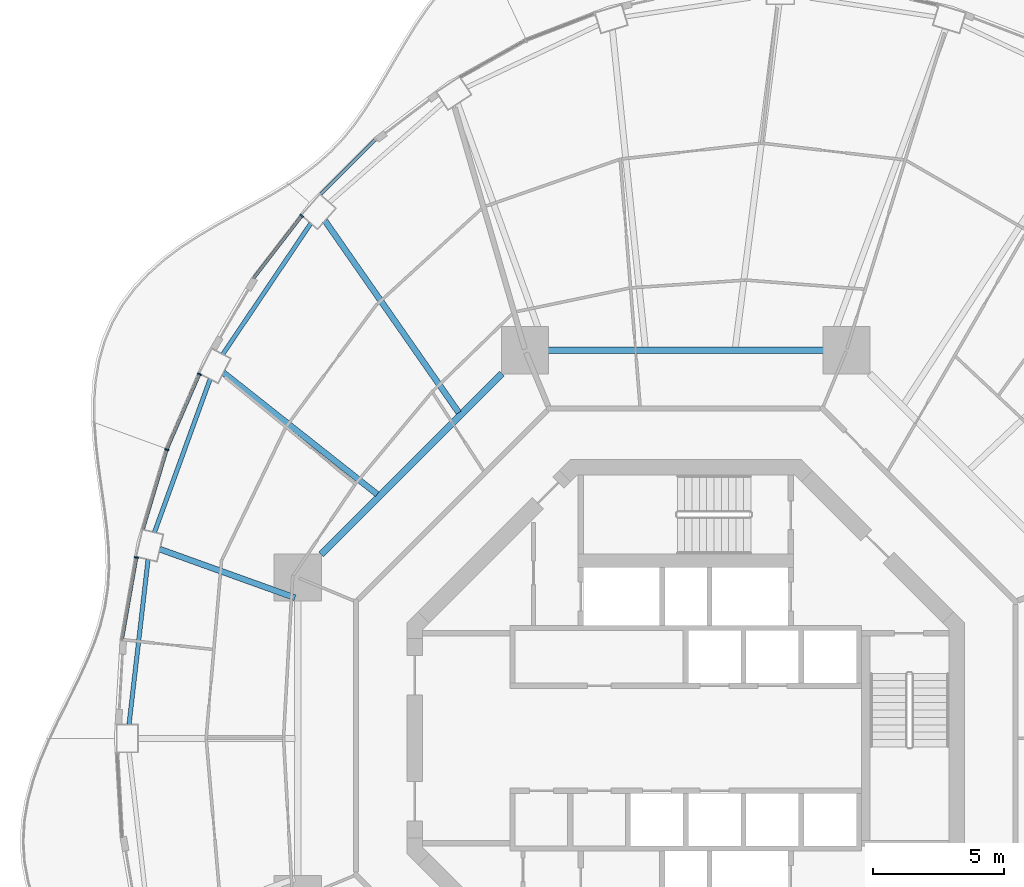
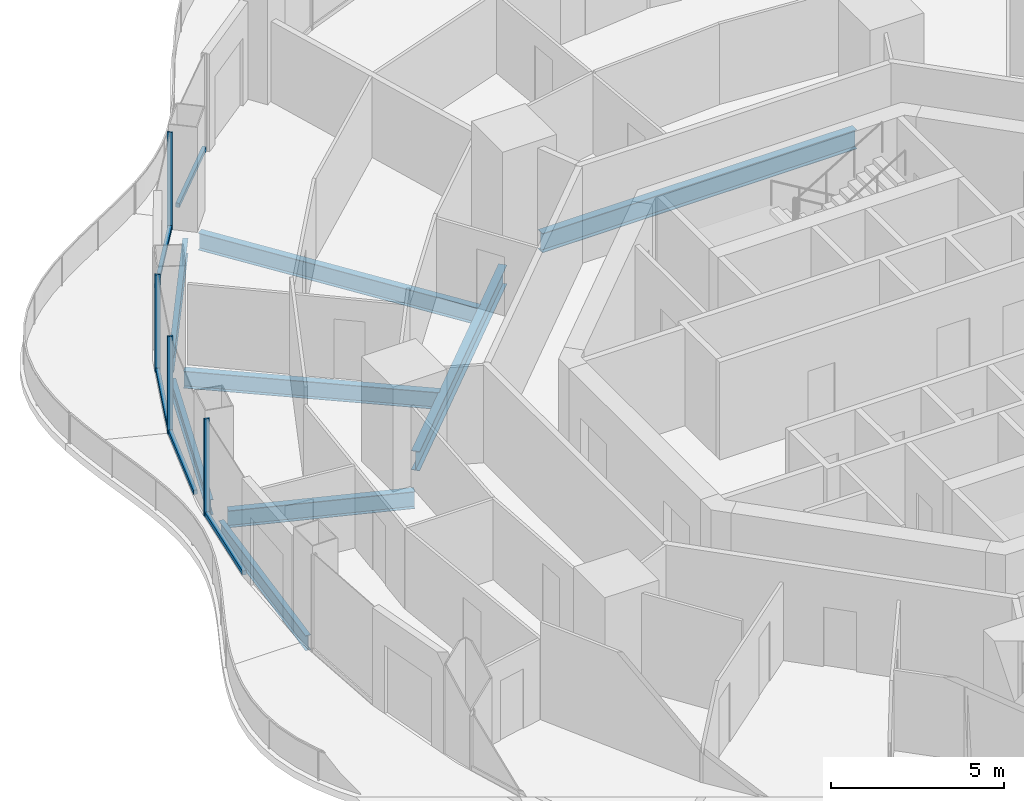
# One storey, part 6 of 19: 9 members, 8 beams, 5 elements without a shape of their own.
"""IFC4 building model written with IfcOpenShell, lengths in metres."""

import ifcopenshell
import ifcopenshell.guid

model = None  # the IFC model being written
_history = None  # IfcOwnerHistory: only IFC2X3 demands one
_inside = {}  # id of a spatial element -> (the spatial element, [elements in it])
_under = {}  # id of a project, library or spatial element -> (it, [spatial elements below it])
_declared = {}  # id of a project -> (the project, [libraries it declares])
_typed = {}  # id of a type object -> (the type object, [elements of that type])
_made_of = {}  # id of a material, layer set ... -> (it, [elements and type objects made of it])


def new_model(schema):
    """Start an empty IFC model of exactly this schema.

    Asked for "IFC4X3", IfcOpenShell would pick the latest addendum, in which some entities
    have other attributes; the version numbers below select the first issue.
    IFC2X3 requires an IfcOwnerHistory on every rooted entity: one is made here for all.
    """
    global model, _history
    if schema == "IFC4X3":
        model = ifcopenshell.file(schema_version=(4, 3, 0, 0))
    else:
        model = ifcopenshell.file(schema=schema)
    _inside.clear()
    _under.clear()
    _declared.clear()
    _typed.clear()
    _made_of.clear()
    _history = None
    if model.schema == "IFC2X3":
        org = make("IfcOrganization", Name="unknown")
        user = make(
            "IfcPersonAndOrganization",
            ThePerson=make("IfcPerson", FamilyName="unknown"),
            TheOrganization=org,
        )
        app = make(
            "IfcApplication",
            ApplicationDeveloper=org,
            Version="unknown",
            ApplicationFullName="unknown",
            ApplicationIdentifier="unknown",
        )
        _history = make(
            "IfcOwnerHistory",
            OwningUser=user,
            OwningApplication=app,
            ChangeAction="ADDED",
            CreationDate=0,
        )
    return model


def make(cls, **values):
    """One entity of the class cls with the attributes given. An attribute that is None is left unset."""
    return model.create_entity(
        cls, **{name: value for name, value in values.items() if value is not None}
    )


def rooted(cls, **values):
    """An entity with a GlobalId (a new one), such as an element, a storey or a relation."""
    return make(cls, GlobalId=ifcopenshell.guid.new(), OwnerHistory=_history, **values)


def si_unit(unit_type, name, prefix=None):
    """IfcSIUnit, for example si_unit("LENGTHUNIT", "METRE", prefix="MILLI")."""
    return make("IfcSIUnit", UnitType=unit_type, Prefix=prefix, Name=name)


def assignment(units):
    """IfcUnitAssignment: the units of a project."""
    return None if units is None else make("IfcUnitAssignment", Units=units)


def point(xyz):
    """IfcCartesianPoint."""
    return None if xyz is None else make("IfcCartesianPoint", Coordinates=xyz)


def direction(xyz):
    """IfcDirection."""
    return None if xyz is None else make("IfcDirection", DirectionRatios=xyz)


def frame(location, z_axis=None, x_axis=None):
    """IfcAxis2Placement3D, a coordinate frame: its origin and axes. An axis left out is left unset."""
    return make(
        "IfcAxis2Placement3D",
        Location=point(location),
        Axis=direction(z_axis),
        RefDirection=direction(x_axis),
    )


def frame_2d(location, x_axis=None):
    """IfcAxis2Placement2D, a coordinate frame in the plane: its origin and x axis."""
    return make(
        "IfcAxis2Placement2D", Location=point(location), RefDirection=direction(x_axis)
    )


def origin():
    """The frame at (0, 0, 0) with its axes left unset."""
    return frame((0.0, 0.0, 0.0))


def origin_2d():
    """The frame at (0, 0) in the plane with its x axis left unset."""
    return frame_2d((0.0, 0.0))


def place(relative_to, where):
    """IfcLocalPlacement: puts the frame where relative to a parent placement (None: the world)."""
    return make(
        "IfcLocalPlacement", PlacementRelTo=relative_to, RelativePlacement=where
    )


def context(
    kind, dimensions, precision=None, world=None, true_north=None, identifier=None
):
    """IfcGeometricRepresentationContext, for example the 3D "Model" context."""
    return make(
        "IfcGeometricRepresentationContext",
        ContextIdentifier=identifier,
        ContextType=kind,
        CoordinateSpaceDimension=dimensions,
        Precision=precision,
        WorldCoordinateSystem=world,
        TrueNorth=true_north,
    )


def subcontext(parent, identifier, kind, view, scale=None):
    """IfcGeometricRepresentationSubContext, for example "Body" below "Model"."""
    return make(
        "IfcGeometricRepresentationSubContext",
        ContextIdentifier=identifier,
        ContextType=kind,
        ParentContext=parent,
        TargetScale=scale,
        TargetView=view,
    )


def project(units=None, contexts=None):
    """IfcProject with its units and contexts."""
    return rooted(
        "IfcProject",
        Name="project",
        RepresentationContexts=contexts,
        UnitsInContext=assignment(units),
    )


def spatial(cls, under=None, at=None, **own):
    """A site, building, storey or space (cls), placed at a placement, below another one or the project."""
    s = rooted(cls, ObjectPlacement=at, **own)
    if under is not None:
        _under.setdefault(under.id(), (under, []))[1].append(s)
    return s


def profile(cls, at=None, kind="AREA", **sizes):
    """A parametric profile (cls). Its sizes go by their IFC names, for example OverallWidth=200.0."""
    return make(cls, ProfileType=kind, Position=at, **sizes)


def rectangle(**sizes):
    """IfcRectangleProfileDef."""
    return profile("IfcRectangleProfileDef", **sizes)


def i_section(**sizes):
    """IfcIShapeProfileDef."""
    return profile("IfcIShapeProfileDef", **sizes)


def extrude(swept, where, along, depth):
    """IfcExtrudedAreaSolid: the profile swept, set in the frame where, extruded along a direction by depth."""
    return make(
        "IfcExtrudedAreaSolid",
        SweptArea=swept,
        Position=where,
        ExtrudedDirection=direction(along),
        Depth=depth,
    )


def shape(context_of_items, identifier, shape_type, items):
    """IfcShapeRepresentation: the items that make up one representation, for example the "Body"."""
    return make(
        "IfcShapeRepresentation",
        ContextOfItems=context_of_items,
        RepresentationIdentifier=identifier,
        RepresentationType=shape_type,
        Items=items,
    )


def material(Name=None, Category=None):
    """IfcMaterial."""
    return make("IfcMaterial", Name=Name, Category=Category)


def layer(
    of_material, thickness, ventilated=None, Name=None, Category=None, Priority=None
):
    """IfcMaterialLayer: one layer of a wall or slab, of a material (None: an air gap)."""
    return make(
        "IfcMaterialLayer",
        Material=of_material,
        LayerThickness=thickness,
        IsVentilated=ventilated,
        Name=Name,
        Category=Category,
        Priority=Priority,
    )


def layer_set(layers, Name=None):
    """IfcMaterialLayerSet."""
    return make("IfcMaterialLayerSet", MaterialLayers=layers, LayerSetName=Name)


def material_profile(
    of_material, cross_section, Name=None, Category=None, Priority=None
):
    """IfcMaterialProfile: a cross section and its material."""
    return make(
        "IfcMaterialProfile",
        Name=Name,
        Material=of_material,
        Profile=cross_section,
        Priority=Priority,
        Category=Category,
    )


def profile_set(profiles, Name=None, composite=None):
    """IfcMaterialProfileSet."""
    return make(
        "IfcMaterialProfileSet",
        Name=Name,
        MaterialProfiles=profiles,
        CompositeProfile=composite,
    )


def made_of(thing, what):
    """Note that an element or type object is made of a material, layer set ...; save() writes the relation."""
    if what is not None:
        _made_of.setdefault(what.id(), (what, []))[1].append(thing)
    return thing


def type_object(cls, material=None, **own):
    """A type object (cls), such as IfcWallType, which elements share."""
    return made_of(rooted(cls, **own), material)


def element(
    cls,
    number,
    at=None,
    inside=None,
    cuts=None,
    type_object=None,
    material=None,
    context=None,
    identifier="Body",
    shape_type=None,
    held_by="IfcProductDefinitionShape",
    body=None,
    shapes=None,
    **own,
):
    """One element of the class cls, such as IfcWall. Its Tag is "e" and its number.

    at: its placement. inside: the storey or other place that contains it. cuts: it is an
    opening in that element (IfcRelVoidsElement). A single representation is given by context,
    identifier, shape_type and body (its items); several are given by shapes. held_by: the class
    of the entity that holds the representations. save() writes the other relations.
    """
    e = rooted(cls, Tag="e%d" % number, ObjectPlacement=at, **own)
    if body is not None:
        shapes = [shape(context, identifier, shape_type, body)]
    if shapes is not None:
        e.Representation = make(held_by, Representations=shapes)
    if inside is not None:
        _inside.setdefault(inside.id(), (inside, []))[1].append(e)
    if cuts is not None:
        rooted(
            "IfcRelVoidsElement", RelatingBuildingElement=cuts, RelatedOpeningElement=e
        )
    if type_object is not None:
        _typed.setdefault(type_object.id(), (type_object, []))[1].append(e)
    return made_of(e, material)


def aggregate(whole, parts):
    """IfcRelAggregates: a whole, such as a stair, and the parts it consists of."""
    return rooted("IfcRelAggregates", RelatingObject=whole, RelatedObjects=parts)


def save(model, path):
    """Write the relations noted so far, then the file.

    IfcRelAggregates (storeys below a building ...), IfcRelContainedInSpatialStructure (elements
    in a storey), IfcRelDefinesByType, IfcRelAssociatesMaterial and IfcRelDeclares: one each for
    every whole, place, type object, material and project.
    """
    for whole, parts in _under.values():
        aggregate(whole, parts)
    for where, things in _inside.values():
        rooted(
            "IfcRelContainedInSpatialStructure",
            RelatedElements=things,
            RelatingStructure=where,
        )
    for kind, things in _typed.values():
        rooted("IfcRelDefinesByType", RelatedObjects=things, RelatingType=kind)
    for what, things in _made_of.values():
        rooted("IfcRelAssociatesMaterial", RelatedObjects=things, RelatingMaterial=what)
    for by, libraries in _declared.values():
        rooted("IfcRelDeclares", RelatingContext=by, RelatedDefinitions=libraries)
    model.write(path)


model = new_model("IFC4")

# Units and contexts
model_context = context("Model", 3, precision=1e-05, world=origin(), true_north=direction((0.0, 1.0)))
body_context = subcontext(model_context, "Body", "Model", "MODEL_VIEW")
ifc_project = project(units=[si_unit("LENGTHUNIT", "METRE"), si_unit("AREAUNIT", "SQUARE_METRE"), si_unit("VOLUMEUNIT", "CUBIC_METRE"), si_unit("PLANEANGLEUNIT", "RADIAN"), si_unit("MASSUNIT", "GRAM", prefix="KILO")], contexts=[model_context])

# Site, building, storey
site_placement = place(None, origin())
site = spatial("IfcSite", under=ifc_project, at=site_placement, CompositionType="ELEMENT")
building_placement = place(site_placement, origin())
building = spatial("IfcBuilding", under=site, at=building_placement, Name="Nagisa Residences", CompositionType="ELEMENT")
storey_placement = place(building_placement, frame((0.0, 0.0, 199.199951171875)))
storey = spatial("IfcBuildingStorey", under=building, at=storey_placement, Name="L50", CompositionType="ELEMENT", Elevation=199.199951171875)

# Curtain wall, member
ifc_material_1 = material(Name="Concrete-coloured aluminium curtain wall system", Category="concrete")
ifc_layer = layer(ifc_material_1, 0.159912109375)
ifc_layer_set = layer_set([ifc_layer], Name="CW1 CURTAIN WALL")
curtain_wall_type = type_object("IfcCurtainWallType", Name="CW1 CURTAIN WALL", PredefinedType="NOTDEFINED", material=ifc_layer_set)
curtain_wall_1_placement = place(storey_placement, origin())
curtain_wall_1 = element("IfcCurtainWall", 1, at=curtain_wall_1_placement, inside=storey, type_object=curtain_wall_type, Name="cw:CW1:L50:18", PredefinedType="NOTDEFINED")
ifc_material_2 = material(Name="Concrete-coloured aluminium", Category="concrete")
ifc_material_profile_1 = material_profile(ifc_material_2, rectangle(XDim=0.159912109375, YDim=0.06005859375, at=origin_2d()), Name="CW1 MULLION 160x60")
ifc_profile_set_1 = profile_set([ifc_material_profile_1], Name="Concrete-coloured aluminium")
member_type_1 = type_object("IfcMemberType", Name="CW1 MULLION 160x60", PredefinedType="MULLION", material=ifc_profile_set_1)
member_1_placement = place(storey_placement, frame((-14.633544921875, 19.909423828125, 0.0), z_axis=(0.0, 0.0, 1.0), x_axis=(0.792070340816, -0.610429828235, 0.0)))
member_1 = element("IfcMember", 2, at=member_1_placement, type_object=member_type_1, Name="CW1 mullion", PredefinedType="MULLION", context=body_context, shape_type="SweptSolid", body=[
    extrude(rectangle(XDim=0.159912109375, YDim=0.06005859375, at=origin_2d()), origin(), (0.0, 0.0, 1.0), 3.43994140625),
])

curtain_wall_2_placement = place(storey_placement, origin())
curtain_wall_2 = element("IfcCurtainWall", 3, at=curtain_wall_2_placement, inside=storey, type_object=curtain_wall_type, Name="cw:CW1:L50:20", PredefinedType="NOTDEFINED")
member_2_placement = place(storey_placement, frame((-18.53271484375, 13.87353515625, 0.0), z_axis=(0.0, 0.0, 1.0), x_axis=(0.917543276295, -0.397635934147, 0.0)))
member_2 = element("IfcMember", 4, at=member_2_placement, type_object=member_type_1, Name="CW1 mullion", PredefinedType="MULLION", context=body_context, shape_type="SweptSolid", body=[
    extrude(rectangle(XDim=0.159912109375, YDim=0.06005859375, at=origin_2d()), origin(), (0.0, 0.0, 1.0), 3.43994140625),
])

curtain_wall_3_placement = place(storey_placement, origin())
curtain_wall_3 = element("IfcCurtainWall", 5, at=curtain_wall_3_placement, inside=storey, type_object=curtain_wall_type, Name="cw:CW1:L50:21", PredefinedType="NOTDEFINED")
member_3_placement = place(storey_placement, frame((-19.775390625, 10.998291015625, 0.0), z_axis=(0.0, 0.0, 1.0), x_axis=(0.958271310082, -0.285860274038, 0.0)))
member_3 = element("IfcMember", 6, at=member_3_placement, type_object=member_type_1, Name="CW1 mullion", PredefinedType="MULLION", context=body_context, shape_type="SweptSolid", body=[
    extrude(rectangle(XDim=0.159912109375, YDim=0.06005859375, at=origin_2d()), origin(), (0.0, 0.0, 1.0), 3.43994140625),
])

curtain_wall_4_placement = place(storey_placement, origin())
curtain_wall_4 = element("IfcCurtainWall", 7, at=curtain_wall_4_placement, inside=storey, type_object=curtain_wall_type, Name="cw:CW1:L50:22", PredefinedType="NOTDEFINED")
member_4_placement = place(storey_placement, frame((-20.931396484375, 6.88818359375, 0.0), z_axis=(0.0, 0.0, 1.0), x_axis=(0.985063604377, -0.172190868898, 0.0)))
member_4 = element("IfcMember", 8, at=member_4_placement, type_object=member_type_1, Name="CW1 mullion", PredefinedType="MULLION", context=body_context, shape_type="SweptSolid", body=[
    extrude(rectangle(XDim=0.159912109375, YDim=0.06005859375, at=origin_2d()), origin(), (0.0, 0.0, 1.0), 3.43994140625),
])

curtain_wall_5_placement = place(storey_placement, origin())
curtain_wall_5 = element("IfcCurtainWall", 9, at=curtain_wall_5_placement, inside=storey, type_object=curtain_wall_type, Name="cw:CW1:L50:17", PredefinedType="NOTDEFINED")
ifc_material_3 = material(Name="Concrete-coloured aluminium", Category="concrete")
ifc_material_profile_2 = material_profile(ifc_material_3, rectangle(XDim=0.1201171875, YDim=0.14990234375, at=origin_2d()), Name="CW1 TRANSOM 120x150")
ifc_profile_set_2 = profile_set([ifc_material_profile_2], Name="Concrete-coloured aluminium")
member_type_2 = type_object("IfcMemberType", Name="CW1 TRANSOM 120x150", PredefinedType="USERDEFINED", material=ifc_profile_set_2)
member_5_placement = place(storey_placement, frame((-11.790771484375, 22.8515625, 0.074951171875), z_axis=(-0.707803821372, -0.706409053206, 0.0), x_axis=(0.706409053206, -0.707803821372, 0.0)))
member_5 = element("IfcMember", 10, at=member_5_placement, type_object=member_type_2, Name="CW1 transom", ObjectType="TRANSOM", PredefinedType="USERDEFINED", context=body_context, shape_type="SweptSolid", body=[
    extrude(rectangle(XDim=0.1201171875, YDim=0.14990234375, at=origin_2d()), origin(), (0.0, 0.0, 1.0), 2.9755859375),
])
aggregate(curtain_wall_5, [member_5])

# Member
member_6_placement = place(storey_placement, frame((-14.615234375, 19.933349609375, 0.074951171875), z_axis=(-0.610398538814, -0.792094453846, 0.0), x_axis=(0.792094453846, -0.610398538814, 0.0)))
member_6 = element("IfcMember", 11, at=member_6_placement, type_object=member_type_2, Name="CW1 transom", ObjectType="TRANSOM", PredefinedType="USERDEFINED", context=body_context, shape_type="SweptSolid", body=[
    extrude(rectangle(XDim=0.1201171875, YDim=0.14990234375, at=origin_2d()), origin(), (0.0, 0.0, 1.0), 3.035400390625),
])

aggregate(curtain_wall_1, [member_1, member_6])

member_7_placement = place(storey_placement, frame((-18.520751953125, 13.901123046875, 0.074951171875), z_axis=(-0.397592173732, -0.917562239517, 0.0), x_axis=(0.917562239517, -0.397592173732, 0.0)))
member_7 = element("IfcMember", 12, at=member_7_placement, type_object=member_type_2, Name="CW1 transom", ObjectType="TRANSOM", PredefinedType="USERDEFINED", context=body_context, shape_type="SweptSolid", body=[
    extrude(rectangle(XDim=0.1201171875, YDim=0.14990234375, at=origin_2d()), origin(), (0.0, 0.0, 1.0), 3.14208984375),
])

aggregate(curtain_wall_2, [member_2, member_7])

member_8_placement = place(storey_placement, frame((-19.766845703125, 11.027099609375, 0.074951171875), z_axis=(-0.28584838049, -0.958274857946, 0.0), x_axis=(0.958274857946, -0.28584838049, 0.0)))
member_8 = element("IfcMember", 13, at=member_8_placement, type_object=member_type_2, Name="CW1 transom", ObjectType="TRANSOM", PredefinedType="USERDEFINED", context=body_context, shape_type="SweptSolid", body=[
    extrude(rectangle(XDim=0.1201171875, YDim=0.14990234375, at=origin_2d()), origin(), (0.0, 0.0, 1.0), 3.182373046875),
])

aggregate(curtain_wall_3, [member_3, member_8])

member_9_placement = place(storey_placement, frame((-20.92626953125, 6.917724609375, 0.074951171875), z_axis=(-0.172162664901, -0.98506853407, 0.0), x_axis=(0.98506853407, -0.172162664901, 0.0)))
member_9 = element("IfcMember", 14, at=member_9_placement, type_object=member_type_2, Name="CW1 transom", ObjectType="TRANSOM", PredefinedType="USERDEFINED", context=body_context, shape_type="SweptSolid", body=[
    extrude(rectangle(XDim=0.1201171875, YDim=0.14990234375, at=origin_2d()), origin(), (0.0, 0.0, 1.0), 3.21044921875),
])

aggregate(curtain_wall_4, [member_4, member_9])

# Beams
ifc_material_4 = material(Name="Steel ASTM A572 Gr 50", Category="steel")
ifc_material_profile_3 = material_profile(ifc_material_4, i_section(OverallWidth=0.25390625, OverallDepth=0.68408203125, WebThickness=0.012451171875, FlangeThickness=0.018798828125, at=origin_2d()), Name="W690x140")
ifc_profile_set_3 = profile_set([ifc_material_profile_3], Name="Steel ASTM A572 Gr 50")
beam_type_1 = type_object("IfcBeamType", Name="Inner ring beam W690x140", PredefinedType="BEAM", material=ifc_profile_set_3)
beam_1_placement = place(storey_placement, frame((5.242919921875, 14.781982421875, -0.60205078125), z_axis=(-1.0, 0.0, 0.0), x_axis=(0.0, -1.0, 0.0)))
element("IfcBeam", 15, at=beam_1_placement, inside=storey, type_object=beam_type_1, Name="beam:L50:ib2", PredefinedType="BEAM", context=body_context, shape_type="SweptSolid", body=[
    extrude(i_section(OverallWidth=0.25390625, OverallDepth=0.68408203125, WebThickness=0.012451171875, FlangeThickness=0.018798828125, at=origin_2d()), origin(), (0.0, 0.0, 1.0), 10.48583984375),
])
beam_2_placement = place(storey_placement, frame((-7.0087890625, 13.896240234375, -0.60205078125), z_axis=(-0.707106781187, -0.707106781187, 0.0), x_axis=(0.707106781187, -0.707106781187, 0.0)))
element("IfcBeam", 16, at=beam_2_placement, inside=storey, type_object=beam_type_1, Name="beam:L50:ib3", PredefinedType="BEAM", context=body_context, shape_type="SweptSolid", body=[
    extrude(i_section(OverallWidth=0.25390625, OverallDepth=0.68408203125, WebThickness=0.012451171875, FlangeThickness=0.018798828125, at=origin_2d()), origin(), (0.0, 0.0, 1.0), 9.740234375),
])
ifc_material_5 = material(Name="Steel ASTM A572 Gr 50", Category="steel")
ifc_material_profile_4 = material_profile(ifc_material_5, i_section(OverallWidth=0.166015625, OverallDepth=0.534912109375, WebThickness=0.01025390625, FlangeThickness=0.0166015625, at=origin_2d()), Name="W530x85")
ifc_profile_set_4 = profile_set([ifc_material_profile_4], Name="Steel ASTM A572 Gr 50")
beam_type_2 = type_object("IfcBeamType", Name="Perimeter ring beam W530x85", PredefinedType="BEAM", material=ifc_profile_set_4)
beam_3_placement = place(storey_placement, frame((-14.28759765625, 19.62060546875, -0.52734375), z_axis=(-0.558152301307, -0.829738518177, 0.0), x_axis=(0.829738518177, -0.558152301307, 0.0)))
element("IfcBeam", 17, at=beam_3_placement, inside=storey, type_object=beam_type_2, Name="beam:L50:pb10", PredefinedType="BEAM", context=body_context, shape_type="SweptSolid", body=[
    extrude(i_section(OverallWidth=0.166015625, OverallDepth=0.534912109375, WebThickness=0.01025390625, FlangeThickness=0.0166015625, at=origin_2d()), origin(), (0.0, 0.0, 1.0), 6.013916015625),
])
beam_4_placement = place(storey_placement, frame((-18.124755859375, 13.685546875, -0.52734375), z_axis=(-0.341285525681, -0.939959674646, 0.0), x_axis=(0.939959674646, -0.341285525681, 0.0)))
element("IfcBeam", 18, at=beam_4_placement, inside=storey, type_object=beam_type_2, Name="beam:L50:pb11", PredefinedType="BEAM", context=body_context, shape_type="SweptSolid", body=[
    extrude(i_section(OverallWidth=0.166015625, OverallDepth=0.534912109375, WebThickness=0.01025390625, FlangeThickness=0.0166015625, at=origin_2d()), origin(), (0.0, 0.0, 1.0), 6.212890625),
])
beam_5_placement = place(storey_placement, frame((-20.488525390625, 6.813720703125, -0.52734375), z_axis=(-0.114670987431, -0.993403525583, 0.0), x_axis=(0.993403525583, -0.114670987431, 0.0)))
element("IfcBeam", 19, at=beam_5_placement, inside=storey, type_object=beam_type_2, Name="beam:L50:pb12", PredefinedType="BEAM", context=body_context, shape_type="SweptSolid", body=[
    extrude(i_section(OverallWidth=0.166015625, OverallDepth=0.534912109375, WebThickness=0.01025390625, FlangeThickness=0.0166015625, at=origin_2d()), origin(), (0.0, 0.0, 1.0), 6.325439453125),
])
ifc_material_6 = material(Name="Steel ASTM A572 Gr 50", Category="steel")
ifc_material_profile_5 = material_profile(ifc_material_6, i_section(OverallWidth=0.22802734375, OverallDepth=0.60302734375, WebThickness=0.010498046875, FlangeThickness=0.014892578125, at=origin_2d()), Name="W610x101")
ifc_profile_set_5 = profile_set([ifc_material_profile_5], Name="Steel ASTM A572 Gr 50")
beam_type_3 = type_object("IfcBeamType", Name="Radial beam W610x101", PredefinedType="BEAM", material=ifc_profile_set_5)
beam_6_placement = place(storey_placement, frame((-13.75048828125, 19.7216796875, -0.5615234375), z_axis=(0.571934479253, -0.82029930601, 0.0), x_axis=(0.82029930601, 0.571934479253, 0.0)))
element("IfcBeam", 20, at=beam_6_placement, inside=storey, type_object=beam_type_3, Name="beam:L50:rb10", PredefinedType="BEAM", context=body_context, shape_type="SweptSolid", body=[
    extrude(i_section(OverallWidth=0.22802734375, OverallDepth=0.60302734375, WebThickness=0.010498046875, FlangeThickness=0.014892578125, at=origin_2d()), origin(), (0.0, 0.0, 1.0), 8.917724609375),
])
beam_7_placement = place(storey_placement, frame((-17.617919921875, 13.930908203125, -0.5615234375), z_axis=(0.784411523752, -0.620240728593, 0.0), x_axis=(0.620240728593, 0.784411523752, 0.0)))
element("IfcBeam", 21, at=beam_7_placement, inside=storey, type_object=beam_type_3, Name="beam:L50:rb11", PredefinedType="BEAM", context=body_context, shape_type="SweptSolid", body=[
    extrude(i_section(OverallWidth=0.22802734375, OverallDepth=0.60302734375, WebThickness=0.010498046875, FlangeThickness=0.014892578125, at=origin_2d()), origin(), (0.0, 0.0, 1.0), 7.4697265625),
])
beam_8_placement = place(storey_placement, frame((-20.043701171875, 7.2060546875, -0.5615234375), z_axis=(0.941032808963, -0.338315315137, 0.0), x_axis=(0.338315315137, 0.941032808963, 0.0)))
element("IfcBeam", 22, at=beam_8_placement, inside=storey, type_object=beam_type_3, Name="beam:L50:rb12", PredefinedType="BEAM", context=body_context, shape_type="SweptSolid", body=[
    extrude(i_section(OverallWidth=0.22802734375, OverallDepth=0.60302734375, WebThickness=0.010498046875, FlangeThickness=0.014892578125, at=origin_2d()), origin(), (0.0, 0.0, 1.0), 5.4765625),
])

save(model, "model.ifc")
